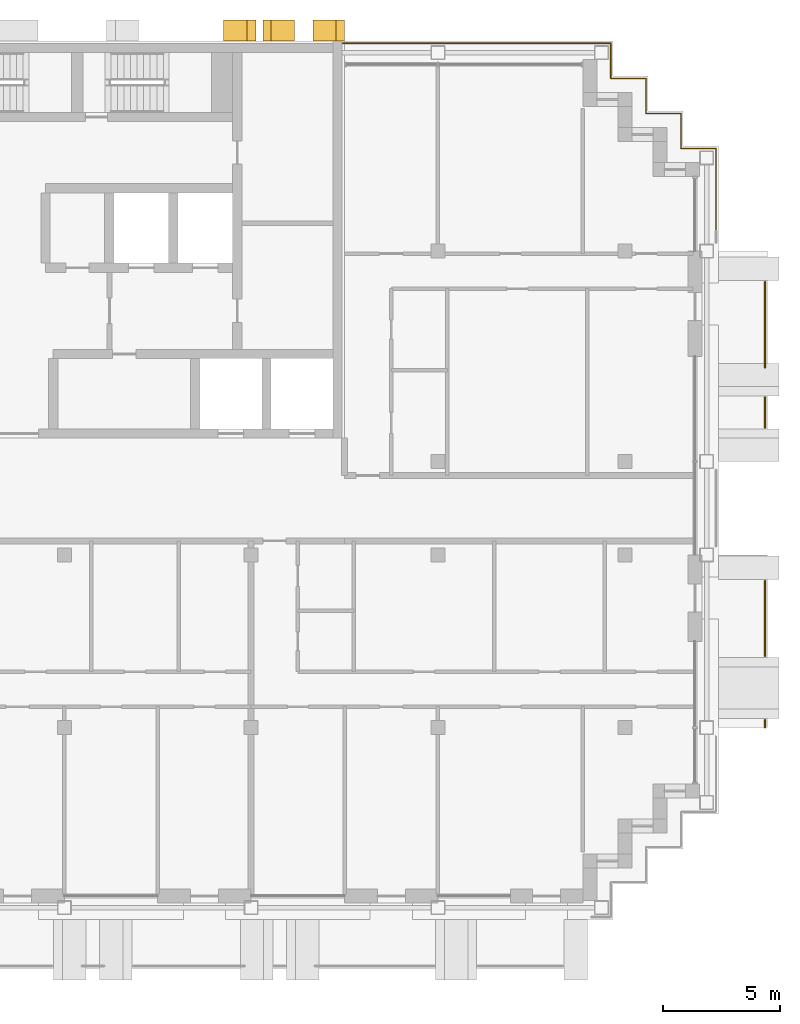
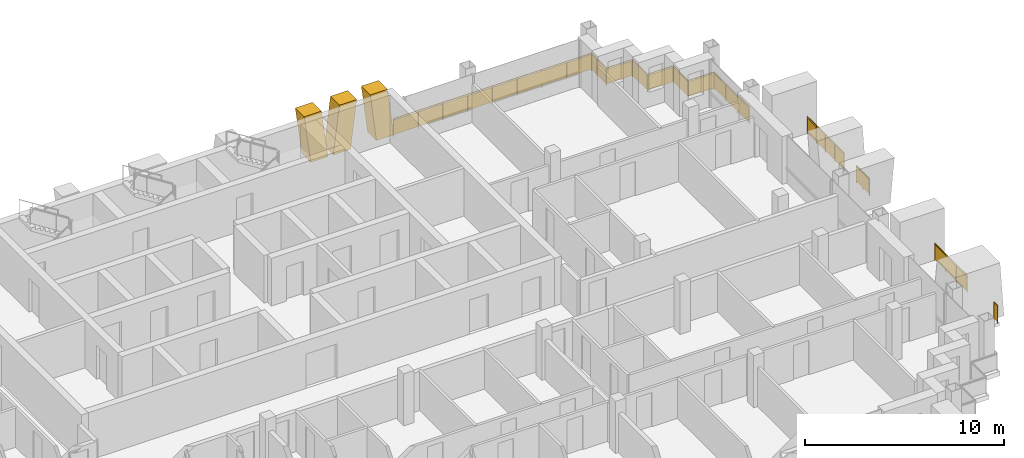
# One storey, part 16 of 16: 6 railings, 3 shading devices.
"""IFC4 building model written with IfcOpenShell, lengths in metres."""

from ifc_helpers import new_model, si_unit, direction, frame, origin, origin_2d, place, context, subcontext, project, spatial, polyline, rectangle, circle, outline, extrude, material, layer, layer_set, type_object, element, save


model = new_model("IFC4")

# Units and contexts
model_context = context("Model", 3, precision=1e-05, world=origin(), true_north=direction((0.0, 1.0)))
body_context = subcontext(model_context, "Body", "Model", "MODEL_VIEW")
ifc_project = project(units=[si_unit("LENGTHUNIT", "METRE"), si_unit("AREAUNIT", "SQUARE_METRE"), si_unit("VOLUMEUNIT", "CUBIC_METRE"), si_unit("PLANEANGLEUNIT", "RADIAN"), si_unit("MASSUNIT", "GRAM", prefix="KILO")], contexts=[model_context])

# Site, building, storey
site_placement = place(None, origin())
site = spatial("IfcSite", under=ifc_project, at=site_placement, CompositionType="ELEMENT")
building_placement = place(site_placement, origin())
building = spatial("IfcBuilding", under=site, at=building_placement, Name="Vidyagriha Tower", CompositionType="ELEMENT")
storey_placement = place(building_placement, frame((0.0, 0.0, 230.0)))
storey = spatial("IfcBuildingStorey", under=building, at=storey_placement, Name="L60", CompositionType="ELEMENT", Elevation=230.0)

# Railings
ifc_material_1 = material(Name="Steel ASTM A500 Grade C black painted", Category="steel")
railing_type_1 = type_object("IfcRailingType", Name="Balcony guard 1100", PredefinedType="BALUSTRADE", material=ifc_material_1)
railing_1_placement = place(storey_placement, frame((32.0, -9.39990234375, 0.0)))
element("IfcRailing", 1, at=railing_1_placement, inside=storey, type_object=railing_type_1, Name="Balcony guard L60 R30.1-1", PredefinedType="BALUSTRADE", context=body_context, shape_type="SweptSolid", body=[
    extrude(circle(Radius=0.02490234375, at=origin_2d()), frame((0.0, 0.0, 1.0751953125), z_axis=(0.0, 1.0, 0.0), x_axis=(-1.0, 0.0, 0.0)), (0.0, 0.0, 1.0), 0.349853515625),
    extrude(circle(Radius=0.02001953125, at=origin_2d()), origin(), (0.0, 0.0, 1.0), 1.050048828125),
    extrude(circle(Radius=0.02001953125, at=origin_2d()), frame((0.0, 0.349853515625, 0.0)), (0.0, 0.0, 1.0), 1.050048828125),
    extrude(rectangle(XDim=0.010009765625, YDim=0.900146484375, at=origin_2d()), frame((0.0, 0.0, 0.550048828125), z_axis=(0.0, 1.0, 0.0), x_axis=(-1.0, 0.0, 0.0)), (0.0, 0.0, 1.0), 0.349853515625),
])
railing_2_placement = place(storey_placement, frame((32.0, -6.35009765625, 0.0)))
element("IfcRailing", 2, at=railing_2_placement, inside=storey, type_object=railing_type_1, Name="Balcony guard L60 R30.1-2", PredefinedType="BALUSTRADE", context=body_context, shape_type="SweptSolid", body=[
    extrude(circle(Radius=0.02490234375, at=origin_2d()), frame((0.0, 0.0, 1.0751953125), z_axis=(0.0, 1.0, 0.0), x_axis=(-1.0, 0.0, 0.0)), (0.0, 0.0, 1.0), 3.25),
    extrude(circle(Radius=0.02001953125, at=origin_2d()), origin(), (0.0, 0.0, 1.0), 1.050048828125),
    extrude(circle(Radius=0.02001953125, at=origin_2d()), frame((0.0, 1.083251953125, 0.0)), (0.0, 0.0, 1.0), 1.050048828125),
    extrude(circle(Radius=0.02001953125, at=origin_2d()), frame((0.0, 2.166748046875, 0.0)), (0.0, 0.0, 1.0), 1.050048828125),
    extrude(circle(Radius=0.02001953125, at=origin_2d()), frame((0.0, 3.25, 0.0)), (0.0, 0.0, 1.0), 1.050048828125),
    extrude(rectangle(XDim=0.010009765625, YDim=0.900146484375, at=origin_2d()), frame((0.0, 0.0, 0.550048828125), z_axis=(0.0, 1.0, 0.0), x_axis=(-1.0, 0.0, 0.0)), (0.0, 0.0, 1.0), 3.25),
])
railing_3_placement = place(storey_placement, frame((32.0, 3.449951171875, 0.0)))
element("IfcRailing", 3, at=railing_3_placement, inside=storey, type_object=railing_type_1, Name="Balcony guard L60 R30.2-1", PredefinedType="BALUSTRADE", context=body_context, shape_type="SweptSolid", body=[
    extrude(circle(Radius=0.02490234375, at=origin_2d()), frame((0.0, 0.0, 1.0751953125), z_axis=(0.0, 1.0, 0.0), x_axis=(-1.0, 0.0, 0.0)), (0.0, 0.0, 1.0), 1.300048828125),
    extrude(circle(Radius=0.02001953125, at=origin_2d()), origin(), (0.0, 0.0, 1.0), 1.050048828125),
    extrude(circle(Radius=0.02001953125, at=origin_2d()), frame((0.0, 0.64990234375, 0.0)), (0.0, 0.0, 1.0), 1.050048828125),
    extrude(circle(Radius=0.02001953125, at=origin_2d()), frame((0.0, 1.300048828125, 0.0)), (0.0, 0.0, 1.0), 1.050048828125),
    extrude(rectangle(XDim=0.010009765625, YDim=0.900146484375, at=origin_2d()), frame((0.0, 0.0, 0.550048828125), z_axis=(0.0, 1.0, 0.0), x_axis=(-1.0, 0.0, 0.0)), (0.0, 0.0, 1.0), 1.300048828125),
])
railing_4_placement = place(storey_placement, frame((32.0, 6.00341796875, 0.0)))
element("IfcRailing", 4, at=railing_4_placement, inside=storey, type_object=railing_type_1, Name="Balcony guard L60 R30.2-2", PredefinedType="BALUSTRADE", context=body_context, shape_type="SweptSolid", body=[
    extrude(circle(Radius=0.02490234375, at=origin_2d()), frame((0.0, 0.0, 1.0751953125), z_axis=(0.0, 1.0, 0.0), x_axis=(-1.0, 0.0, 0.0)), (0.0, 0.0, 1.0), 3.696533203125),
    extrude(circle(Radius=0.02001953125, at=origin_2d()), origin(), (0.0, 0.0, 1.0), 1.050048828125),
    extrude(circle(Radius=0.02001953125, at=origin_2d()), frame((0.0, 0.924072265625, 0.0)), (0.0, 0.0, 1.0), 1.050048828125),
    extrude(circle(Radius=0.02001953125, at=origin_2d()), frame((0.0, 1.84814453125, 0.0)), (0.0, 0.0, 1.0), 1.050048828125),
    extrude(circle(Radius=0.02001953125, at=origin_2d()), frame((0.0, 2.7724609375, 0.0)), (0.0, 0.0, 1.0), 1.050048828125),
    extrude(circle(Radius=0.02001953125, at=origin_2d()), frame((0.0, 3.696533203125, 0.0)), (0.0, 0.0, 1.0), 1.050048828125),
    extrude(rectangle(XDim=0.010009765625, YDim=0.900146484375, at=origin_2d()), frame((0.0, 0.0, 0.550048828125), z_axis=(0.0, 1.0, 0.0), x_axis=(-1.0, 0.0, 0.0)), (0.0, 0.0, 1.0), 3.696533203125),
])

# Shading devices
ifc_material_2 = material(Name="Precast concrete C40/50 with brick facing", Category="concrete")
ifc_layer = layer(ifc_material_2, 1.0)
ifc_layer_set = layer_set([ifc_layer], Name="Precast concrete C40/50 with brick facing")
shading_device_type = type_object("IfcShadingDeviceType", Name="Brick-faced rear rib arm leaning 8 degrees", PredefinedType="USERDEFINED", material=ifc_layer_set)
shading_device_1_placement = place(storey_placement, frame((11.857177734375, 20.449951171875, 0.0), z_axis=(0.0, 0.0, 1.0), x_axis=(-1.0, 0.0, 0.0)))
element("IfcShadingDevice", 5, at=shading_device_1_placement, inside=storey, type_object=shading_device_type, Name="Rear rib arm L60 R08.1a", ObjectType="BLADE FIN", PredefinedType="USERDEFINED", context=body_context, shape_type="SweptSolid", body=[
    extrude(outline(polyline([(0.357177734375, 0.0), (1.357177734375, 0.0), (1.0, 2.919921875), (0.0, 2.919921875), (0.357177734375, 0.0)])), frame((0.0, 0.449951171875, 0.0), z_axis=(0.0, -1.0, 0.0), x_axis=(1.0, 0.0, 0.0)), (0.0, 0.0, 1.0), 0.89990234375),
])
shading_device_2_placement = place(storey_placement, frame((14.0, 20.449951171875, 0.0), z_axis=(0.0, 0.0, 1.0), x_axis=(-1.0, 0.0, 0.0)))
element("IfcShadingDevice", 6, at=shading_device_2_placement, inside=storey, type_object=shading_device_type, Name="Rear rib arm L60 R08.1b", ObjectType="BLADE FIN", PredefinedType="USERDEFINED", context=body_context, shape_type="SweptSolid", body=[
    extrude(outline(polyline([(0.0, 0.0), (1.0, 0.0), (1.357177734375, 2.919921875), (0.357177734375, 2.919921875), (0.0, 0.0)])), frame((0.0, 0.449951171875, 0.0), z_axis=(0.0, -1.0, 0.0), x_axis=(1.0, 0.0, 0.0)), (0.0, 0.0, 1.0), 0.89990234375),
])
shading_device_3_placement = place(storey_placement, frame((10.199951171875, 20.449951171875, 0.0), z_axis=(0.0, 0.0, 1.0), x_axis=(-1.0, 0.0, 0.0)))
element("IfcShadingDevice", 7, at=shading_device_3_placement, inside=storey, type_object=shading_device_type, Name="Rear rib arm L60 R08.2b", ObjectType="BLADE FIN", PredefinedType="USERDEFINED", context=body_context, shape_type="SweptSolid", body=[
    extrude(outline(polyline([(0.0, 0.0), (1.0, 0.0), (1.3857421875, 2.919921875), (0.3857421875, 2.919921875), (0.0, 0.0)])), frame((0.0, 0.449951171875, 0.0), z_axis=(0.0, -1.0, 0.0), x_axis=(1.0, 0.0, 0.0)), (0.0, 0.0, 1.0), 0.89990234375),
])

# Railings
ifc_material_3 = material(Name="Steel ASTM A500 Grade C black painted", Category="steel")
railing_type_2 = type_object("IfcRailingType", Name="Gallery guard 1100", PredefinedType="GUARDRAIL", material=ifc_material_3)
railing_5_placement = place(storey_placement, frame((13.929931640625, 19.89990234375, 0.0)))
element("IfcRailing", 8, at=railing_5_placement, inside=storey, type_object=railing_type_2, Name="Gallery guard L60 7", PredefinedType="GUARDRAIL", context=body_context, shape_type="SweptSolid", body=[
    extrude(circle(Radius=0.02490234375, at=origin_2d()), frame((0.0, 0.0, 1.0751953125), z_axis=(1.0, 0.0, 0.0), x_axis=(0.0, 1.0, 0.0)), (0.0, 0.0, 1.0), 11.469970703125),
    extrude(circle(Radius=0.02490234375, at=origin_2d()), frame((11.469970703125, 0.0, 1.0751953125), z_axis=(0.0, -1.0, 0.0), x_axis=(1.0, 0.0, 0.0)), (0.0, 0.0, 1.0), 0.52978515625),
    extrude(circle(Radius=0.02001953125, at=origin_2d()), origin(), (0.0, 0.0, 1.0), 1.050048828125),
    extrude(circle(Radius=0.02001953125, at=origin_2d()), frame((1.433837890625, 0.0, 0.0)), (0.0, 0.0, 1.0), 1.050048828125),
    extrude(circle(Radius=0.02001953125, at=origin_2d()), frame((2.867431640625, 0.0, 0.0)), (0.0, 0.0, 1.0), 1.050048828125),
    extrude(circle(Radius=0.02001953125, at=origin_2d()), frame((4.30126953125, 0.0, 0.0)), (0.0, 0.0, 1.0), 1.050048828125),
    extrude(circle(Radius=0.02001953125, at=origin_2d()), frame((5.73486328125, 0.0, 0.0)), (0.0, 0.0, 1.0), 1.050048828125),
    extrude(circle(Radius=0.02001953125, at=origin_2d()), frame((7.168701171875, 0.0, 0.0)), (0.0, 0.0, 1.0), 1.050048828125),
    extrude(circle(Radius=0.02001953125, at=origin_2d()), frame((8.6025390625, 0.0, 0.0)), (0.0, 0.0, 1.0), 1.050048828125),
    extrude(circle(Radius=0.02001953125, at=origin_2d()), frame((10.0361328125, 0.0, 0.0)), (0.0, 0.0, 1.0), 1.050048828125),
    extrude(circle(Radius=0.02001953125, at=origin_2d()), frame((11.469970703125, 0.0, 0.0)), (0.0, 0.0, 1.0), 1.050048828125),
    extrude(circle(Radius=0.02001953125, at=origin_2d()), frame((11.469970703125, -0.52978515625, 0.0)), (0.0, 0.0, 1.0), 1.050048828125),
    extrude(rectangle(XDim=0.010009765625, YDim=0.900146484375, at=origin_2d()), frame((0.0, 0.0, 0.550048828125), z_axis=(1.0, 0.0, 0.0), x_axis=(0.0, 1.0, 0.0)), (0.0, 0.0, 1.0), 11.469970703125),
    extrude(rectangle(XDim=0.010009765625, YDim=0.900146484375, at=origin_2d()), frame((11.469970703125, 0.0, 0.550048828125), z_axis=(0.0, -1.0, 0.0), x_axis=(1.0, 0.0, 0.0)), (0.0, 0.0, 1.0), 0.52978515625),
])
railing_6_placement = place(storey_placement, frame((25.39990234375, 19.3701171875, 0.0)))
element("IfcRailing", 9, at=railing_6_placement, inside=storey, type_object=railing_type_2, Name="Gallery guard L60 8", PredefinedType="GUARDRAIL", context=body_context, shape_type="SweptSolid", body=[
    extrude(circle(Radius=0.02490234375, at=origin_2d()), frame((0.0, 0.0, 1.0751953125), z_axis=(0.0, -1.0, 0.0), x_axis=(1.0, 0.0, 0.0)), (0.0, 0.0, 1.0), 0.97021484375),
    extrude(circle(Radius=0.02490234375, at=origin_2d()), frame((0.0, -0.97021484375, 1.0751953125), z_axis=(1.0, 0.0, 0.0), x_axis=(0.0, 1.0, 0.0)), (0.0, 0.0, 1.0), 1.5),
    extrude(circle(Radius=0.02490234375, at=origin_2d()), frame((1.5, -0.97021484375, 1.0751953125), z_axis=(0.0, -1.0, 0.0), x_axis=(1.0, 0.0, 0.0)), (0.0, 0.0, 1.0), 1.5),
    extrude(circle(Radius=0.02490234375, at=origin_2d()), frame((1.5, -2.47021484375, 1.0751953125), z_axis=(1.0, 0.0, 0.0), x_axis=(0.0, 1.0, 0.0)), (0.0, 0.0, 1.0), 1.5),
    extrude(circle(Radius=0.02490234375, at=origin_2d()), frame((3.0, -2.47021484375, 1.0751953125), z_axis=(0.0, -1.0, 0.0), x_axis=(1.0, 0.0, 0.0)), (0.0, 0.0, 1.0), 1.5),
    extrude(circle(Radius=0.02490234375, at=origin_2d()), frame((3.0, -3.97021484375, 1.0751953125), z_axis=(1.0, 0.0, 0.0), x_axis=(0.0, 1.0, 0.0)), (0.0, 0.0, 1.0), 1.5),
    extrude(circle(Radius=0.02490234375, at=origin_2d()), frame((4.5, -3.97021484375, 1.0751953125), z_axis=(0.0, -1.0, 0.0), x_axis=(1.0, 0.0, 0.0)), (0.0, 0.0, 1.0), 3.52978515625),
    extrude(circle(Radius=0.02001953125, at=origin_2d()), origin(), (0.0, 0.0, 1.0), 1.050048828125),
    extrude(circle(Radius=0.02001953125, at=origin_2d()), frame((0.0, -0.97021484375, 0.0)), (0.0, 0.0, 1.0), 1.050048828125),
    extrude(circle(Radius=0.02001953125, at=origin_2d()), frame((1.5, -0.97021484375, 0.0)), (0.0, 0.0, 1.0), 1.050048828125),
    extrude(circle(Radius=0.02001953125, at=origin_2d()), frame((1.5, -2.47021484375, 0.0)), (0.0, 0.0, 1.0), 1.050048828125),
    extrude(circle(Radius=0.02001953125, at=origin_2d()), frame((3.0, -2.47021484375, 0.0)), (0.0, 0.0, 1.0), 1.050048828125),
    extrude(circle(Radius=0.02001953125, at=origin_2d()), frame((3.0, -3.97021484375, 0.0)), (0.0, 0.0, 1.0), 1.050048828125),
    extrude(circle(Radius=0.02001953125, at=origin_2d()), frame((4.5, -3.97021484375, 0.0)), (0.0, 0.0, 1.0), 1.050048828125),
    extrude(circle(Radius=0.02001953125, at=origin_2d()), frame((4.5, -5.146728515625, 0.0)), (0.0, 0.0, 1.0), 1.050048828125),
    extrude(circle(Radius=0.02001953125, at=origin_2d()), frame((4.5, -6.323486328125, 0.0)), (0.0, 0.0, 1.0), 1.050048828125),
    extrude(circle(Radius=0.02001953125, at=origin_2d()), frame((4.5, -7.5, 0.0)), (0.0, 0.0, 1.0), 1.050048828125),
    extrude(rectangle(XDim=0.010009765625, YDim=0.900146484375, at=origin_2d()), frame((0.0, 0.0, 0.550048828125), z_axis=(0.0, -1.0, 0.0), x_axis=(1.0, 0.0, 0.0)), (0.0, 0.0, 1.0), 0.97021484375),
    extrude(rectangle(XDim=0.010009765625, YDim=0.900146484375, at=origin_2d()), frame((0.0, -0.97021484375, 0.550048828125), z_axis=(1.0, 0.0, 0.0), x_axis=(0.0, 1.0, 0.0)), (0.0, 0.0, 1.0), 1.5),
    extrude(rectangle(XDim=0.010009765625, YDim=0.900146484375, at=origin_2d()), frame((1.5, -0.97021484375, 0.550048828125), z_axis=(0.0, -1.0, 0.0), x_axis=(1.0, 0.0, 0.0)), (0.0, 0.0, 1.0), 1.5),
    extrude(rectangle(XDim=0.010009765625, YDim=0.900146484375, at=origin_2d()), frame((1.5, -2.47021484375, 0.550048828125), z_axis=(1.0, 0.0, 0.0), x_axis=(0.0, 1.0, 0.0)), (0.0, 0.0, 1.0), 1.5),
    extrude(rectangle(XDim=0.010009765625, YDim=0.900146484375, at=origin_2d()), frame((3.0, -2.47021484375, 0.550048828125), z_axis=(0.0, -1.0, 0.0), x_axis=(1.0, 0.0, 0.0)), (0.0, 0.0, 1.0), 1.5),
    extrude(rectangle(XDim=0.010009765625, YDim=0.900146484375, at=origin_2d()), frame((3.0, -3.97021484375, 0.550048828125), z_axis=(1.0, 0.0, 0.0), x_axis=(0.0, 1.0, 0.0)), (0.0, 0.0, 1.0), 1.5),
    extrude(rectangle(XDim=0.010009765625, YDim=0.900146484375, at=origin_2d()), frame((4.5, -3.97021484375, 0.550048828125), z_axis=(0.0, -1.0, 0.0), x_axis=(1.0, 0.0, 0.0)), (0.0, 0.0, 1.0), 3.52978515625),
])

save(model, "model.ifc")
